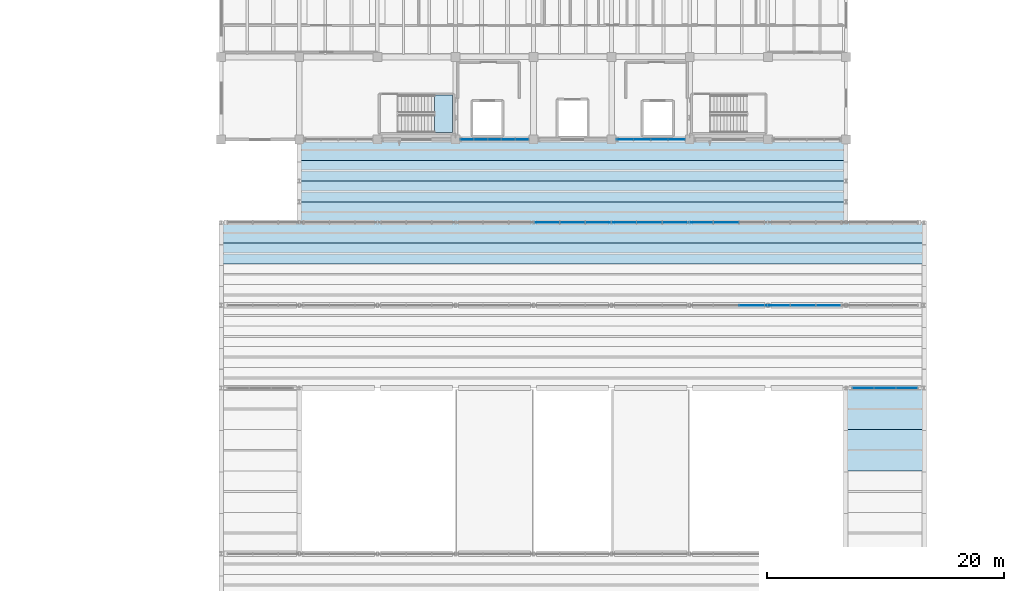
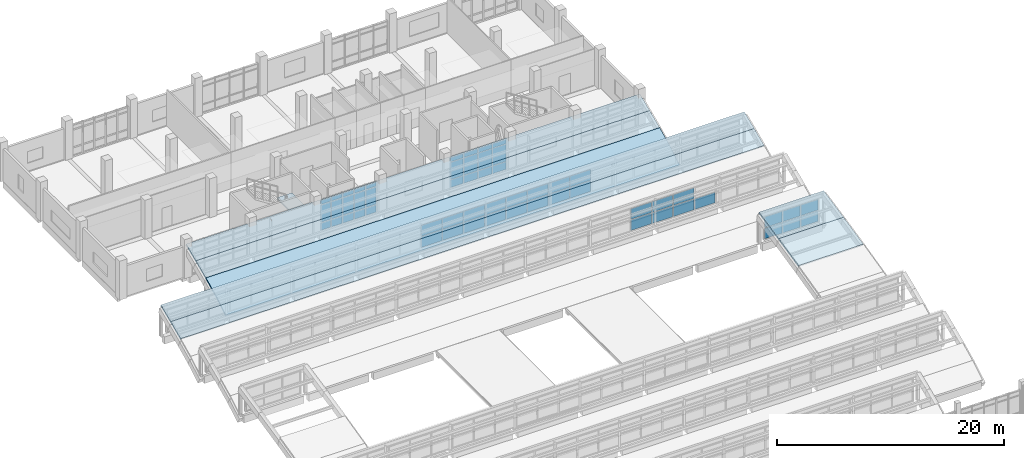
# One storey, part 73 of 92: 56 plates, 9 slabs, 7 elements without a shape of their own.
"""IFC4 building model written with IfcOpenShell, lengths in metres."""

from ifc_helpers import new_model, si_unit, direction, frame, origin, origin_2d, place, context, subcontext, project, spatial, polyline, rectangle, outline, extrude, material, layer, layer_set, type_object, element, aggregate, save


model = new_model("IFC4")

# Units and contexts
model_context = context("Model", 3, precision=1e-05, world=origin(), true_north=direction((0.0, 1.0)))
body_context = subcontext(model_context, "Body", "Model", "MODEL_VIEW")
ifc_project = project(units=[si_unit("LENGTHUNIT", "METRE"), si_unit("AREAUNIT", "SQUARE_METRE"), si_unit("VOLUMEUNIT", "CUBIC_METRE"), si_unit("PLANEANGLEUNIT", "RADIAN"), si_unit("MASSUNIT", "GRAM", prefix="KILO")], contexts=[model_context])

# Site, building, storey
site_placement = place(None, origin())
site = spatial("IfcSite", under=ifc_project, at=site_placement, CompositionType="ELEMENT")
building_placement = place(site_placement, origin())
building = spatial("IfcBuilding", under=site, at=building_placement, Name="Ciguamira Faculty of Natural Sciences", CompositionType="ELEMENT")
storey_placement = place(building_placement, frame((0.0, 0.0, 16.800048828125)))
storey = spatial("IfcBuildingStorey", under=building, at=storey_placement, Name="L04", CompositionType="ELEMENT", Elevation=16.800048828125)

# Curtain wall, plates
ifc_material_1 = material(Name="Anodized aluminium curtain wall", Category="aluminium")
curtain_wall_type_1 = type_object("IfcCurtainWallType", Name="CurtainWall_CW-03", PredefinedType="USERDEFINED", material=ifc_material_1)
curtain_wall_1_placement = place(storey_placement, origin())
curtain_wall_1 = element("IfcCurtainWall", 1, at=curtain_wall_1_placement, inside=storey, type_object=curtain_wall_type_1, Name="L04 unitised curtain wall 0123", ObjectType="UNITISED CURTAIN WALL", PredefinedType="USERDEFINED")
ifc_material_2 = material(Name="Low-E laminated solar glass", Category="glass")
ifc_layer_1 = layer(ifc_material_2, 0.028076171875, Name="Low-E laminated solar glass")
ifc_layer_set_1 = layer_set([ifc_layer_1], Name="Low-E laminated solar glass")
plate_type_1 = type_object("IfcPlateType", Name="CWPanel_CWP-01", PredefinedType="CURTAIN_PANEL", material=ifc_layer_set_1)
plate_1_placement = place(storey_placement, frame((78.080078125, 94.0, 0.080078125), z_axis=(0.0, 0.0, 1.0), x_axis=(1.0, 0.0, 0.0)))
plate_1 = element("IfcPlate", 2, at=plate_1_placement, type_object=plate_type_1, Name="CW-03 panel 1.1", PredefinedType="CURTAIN_PANEL", context=body_context, shape_type="SweptSolid", body=[
    extrude(rectangle(XDim=1.050048828125, YDim=0.028076171875, at=origin_2d()), origin(), (0.0, 0.0, 1.0), 0.780029296875),
])
plate_2_placement = place(storey_placement, frame((78.080078125, 94.0, 0.93994140625), z_axis=(0.0, 0.0, 1.0), x_axis=(1.0, 0.0, 0.0)))
plate_2 = element("IfcPlate", 3, at=plate_2_placement, type_object=plate_type_1, Name="CW-03 panel 1.2", PredefinedType="CURTAIN_PANEL", context=body_context, shape_type="SweptSolid", body=[
    extrude(rectangle(XDim=1.050048828125, YDim=0.028076171875, at=origin_2d()), origin(), (0.0, 0.0, 1.0), 1.85498046875),
])
plate_3_placement = place(storey_placement, frame((78.080078125, 94.0, 2.875), z_axis=(0.0, 0.0, 1.0), x_axis=(1.0, 0.0, 0.0)))
plate_3 = element("IfcPlate", 4, at=plate_3_placement, type_object=plate_type_1, Name="CW-03 panel 1.3", PredefinedType="CURTAIN_PANEL", context=body_context, shape_type="SweptSolid", body=[
    extrude(rectangle(XDim=1.050048828125, YDim=0.028076171875, at=origin_2d()), origin(), (0.0, 0.0, 1.0), 0.429931640625),
])
plate_4_placement = place(storey_placement, frame((79.22998046875, 94.0, 0.080078125), z_axis=(0.0, 0.0, 1.0), x_axis=(1.0, 0.0, 0.0)))
plate_4 = element("IfcPlate", 5, at=plate_4_placement, type_object=plate_type_1, Name="CW-03 panel 2.1", PredefinedType="CURTAIN_PANEL", context=body_context, shape_type="SweptSolid", body=[
    extrude(rectangle(XDim=1.090087890625, YDim=0.028076171875, at=origin_2d()), origin(), (0.0, 0.0, 1.0), 0.780029296875),
])
plate_5_placement = place(storey_placement, frame((79.22998046875, 94.0, 0.93994140625), z_axis=(0.0, 0.0, 1.0), x_axis=(1.0, 0.0, 0.0)))
plate_5 = element("IfcPlate", 6, at=plate_5_placement, type_object=plate_type_1, Name="CW-03 panel 2.2", PredefinedType="CURTAIN_PANEL", context=body_context, shape_type="SweptSolid", body=[
    extrude(rectangle(XDim=1.090087890625, YDim=0.028076171875, at=origin_2d()), origin(), (0.0, 0.0, 1.0), 1.85498046875),
])
plate_6_placement = place(storey_placement, frame((79.22998046875, 94.0, 2.875), z_axis=(0.0, 0.0, 1.0), x_axis=(1.0, 0.0, 0.0)))
plate_6 = element("IfcPlate", 7, at=plate_6_placement, type_object=plate_type_1, Name="CW-03 panel 2.3", PredefinedType="CURTAIN_PANEL", context=body_context, shape_type="SweptSolid", body=[
    extrude(rectangle(XDim=1.090087890625, YDim=0.028076171875, at=origin_2d()), origin(), (0.0, 0.0, 1.0), 0.429931640625),
])
plate_7_placement = place(storey_placement, frame((80.39990234375, 94.0, 0.080078125), z_axis=(0.0, 0.0, 1.0), x_axis=(1.0, 0.0, 0.0)))
plate_7 = element("IfcPlate", 8, at=plate_7_placement, type_object=plate_type_1, Name="CW-03 panel 3.1", PredefinedType="CURTAIN_PANEL", context=body_context, shape_type="SweptSolid", body=[
    extrude(rectangle(XDim=1.090087890625, YDim=0.028076171875, at=origin_2d()), origin(), (0.0, 0.0, 1.0), 0.780029296875),
])
plate_8_placement = place(storey_placement, frame((80.39990234375, 94.0, 0.93994140625), z_axis=(0.0, 0.0, 1.0), x_axis=(1.0, 0.0, 0.0)))
plate_8 = element("IfcPlate", 9, at=plate_8_placement, type_object=plate_type_1, Name="CW-03 panel 3.2", PredefinedType="CURTAIN_PANEL", context=body_context, shape_type="SweptSolid", body=[
    extrude(rectangle(XDim=1.090087890625, YDim=0.028076171875, at=origin_2d()), origin(), (0.0, 0.0, 1.0), 1.85498046875),
])
plate_9_placement = place(storey_placement, frame((80.39990234375, 94.0, 2.875), z_axis=(0.0, 0.0, 1.0), x_axis=(1.0, 0.0, 0.0)))
plate_9 = element("IfcPlate", 10, at=plate_9_placement, type_object=plate_type_1, Name="CW-03 panel 3.3", PredefinedType="CURTAIN_PANEL", context=body_context, shape_type="SweptSolid", body=[
    extrude(rectangle(XDim=1.090087890625, YDim=0.028076171875, at=origin_2d()), origin(), (0.0, 0.0, 1.0), 0.429931640625),
])
plate_10_placement = place(storey_placement, frame((81.570068359375, 94.0, 0.080078125), z_axis=(0.0, 0.0, 1.0), x_axis=(1.0, 0.0, 0.0)))
plate_10 = element("IfcPlate", 11, at=plate_10_placement, type_object=plate_type_1, Name="CW-03 panel 4.1", PredefinedType="CURTAIN_PANEL", context=body_context, shape_type="SweptSolid", body=[
    extrude(rectangle(XDim=1.090087890625, YDim=0.028076171875, at=origin_2d()), origin(), (0.0, 0.0, 1.0), 0.780029296875),
])
plate_11_placement = place(storey_placement, frame((81.570068359375, 94.0, 0.93994140625), z_axis=(0.0, 0.0, 1.0), x_axis=(1.0, 0.0, 0.0)))
plate_11 = element("IfcPlate", 12, at=plate_11_placement, type_object=plate_type_1, Name="CW-03 panel 4.2", PredefinedType="CURTAIN_PANEL", context=body_context, shape_type="SweptSolid", body=[
    extrude(rectangle(XDim=1.090087890625, YDim=0.028076171875, at=origin_2d()), origin(), (0.0, 0.0, 1.0), 1.85498046875),
])
plate_12_placement = place(storey_placement, frame((81.570068359375, 94.0, 2.875), z_axis=(0.0, 0.0, 1.0), x_axis=(1.0, 0.0, 0.0)))
plate_12 = element("IfcPlate", 13, at=plate_12_placement, type_object=plate_type_1, Name="CW-03 panel 4.3", PredefinedType="CURTAIN_PANEL", context=body_context, shape_type="SweptSolid", body=[
    extrude(rectangle(XDim=1.090087890625, YDim=0.028076171875, at=origin_2d()), origin(), (0.0, 0.0, 1.0), 0.429931640625),
])
plate_13_placement = place(storey_placement, frame((82.719970703125, 94.0, 0.080078125), z_axis=(0.0, 0.0, 1.0), x_axis=(1.0, 0.0, 0.0)))
plate_13 = element("IfcPlate", 14, at=plate_13_placement, type_object=plate_type_1, Name="CW-03 panel 5.1", PredefinedType="CURTAIN_PANEL", context=body_context, shape_type="SweptSolid", body=[
    extrude(rectangle(XDim=1.050048828125, YDim=0.028076171875, at=origin_2d()), origin(), (0.0, 0.0, 1.0), 0.780029296875),
])
plate_14_placement = place(storey_placement, frame((82.719970703125, 94.0, 0.93994140625), z_axis=(0.0, 0.0, 1.0), x_axis=(1.0, 0.0, 0.0)))
plate_14 = element("IfcPlate", 15, at=plate_14_placement, type_object=plate_type_1, Name="CW-03 panel 5.2", PredefinedType="CURTAIN_PANEL", context=body_context, shape_type="SweptSolid", body=[
    extrude(rectangle(XDim=1.050048828125, YDim=0.028076171875, at=origin_2d()), origin(), (0.0, 0.0, 1.0), 1.85498046875),
])
plate_15_placement = place(storey_placement, frame((82.719970703125, 94.0, 2.875), z_axis=(0.0, 0.0, 1.0), x_axis=(1.0, 0.0, 0.0)))
plate_15 = element("IfcPlate", 16, at=plate_15_placement, type_object=plate_type_1, Name="CW-03 panel 5.3", PredefinedType="CURTAIN_PANEL", context=body_context, shape_type="SweptSolid", body=[
    extrude(rectangle(XDim=1.050048828125, YDim=0.028076171875, at=origin_2d()), origin(), (0.0, 0.0, 1.0), 0.429931640625),
])
aggregate(curtain_wall_1, [plate_1, plate_2, plate_3, plate_4, plate_5, plate_6, plate_7, plate_8, plate_9, plate_10, plate_11, plate_12, plate_13, plate_14, plate_15])

curtain_wall_type_2 = type_object("IfcCurtainWallType", Name="CurtainWall_CW-04", PredefinedType="USERDEFINED", material=ifc_material_1)
curtain_wall_2_placement = place(storey_placement, origin())
curtain_wall_2 = element("IfcCurtainWall", 17, at=curtain_wall_2_placement, inside=storey, type_object=curtain_wall_type_2, Name="L04 unitised curtain wall 0124", ObjectType="UNITISED CURTAIN WALL", PredefinedType="USERDEFINED")
ifc_layer_2 = layer(ifc_material_2, 0.035888671875, Name="Low-E laminated solar glass")
ifc_layer_set_2 = layer_set([ifc_layer_2], Name="Low-E laminated solar glass")
plate_type_2 = type_object("IfcPlateType", Name="CWPanel_CWP-02", PredefinedType="CURTAIN_PANEL", material=ifc_layer_set_2)
plate_16_placement = place(storey_placement, frame((91.421142578125, 94.0, 0.059814453125), z_axis=(0.0, 0.0, 1.0), x_axis=(1.0, 0.0, 0.0)))
plate_16 = element("IfcPlate", 18, at=plate_16_placement, type_object=plate_type_2, Name="CW-04 panel 1.1", PredefinedType="CURTAIN_PANEL", context=body_context, shape_type="SweptSolid", body=[
    extrude(rectangle(XDim=1.37255859375, YDim=0.035888671875, at=origin_2d()), origin(), (0.0, 0.0, 1.0), 0.81005859375),
])
plate_17_placement = place(storey_placement, frame((91.421142578125, 94.0, 0.929931640625), z_axis=(0.0, 0.0, 1.0), x_axis=(1.0, 0.0, 0.0)))
plate_17 = element("IfcPlate", 19, at=plate_17_placement, type_object=plate_type_2, Name="CW-04 panel 1.2", PredefinedType="CURTAIN_PANEL", context=body_context, shape_type="SweptSolid", body=[
    extrude(rectangle(XDim=1.37255859375, YDim=0.035888671875, at=origin_2d()), origin(), (0.0, 0.0, 1.0), 1.8349609375),
])
plate_18_placement = place(storey_placement, frame((91.421142578125, 94.0, 2.824951171875), z_axis=(0.0, 0.0, 1.0), x_axis=(1.0, 0.0, 0.0)))
plate_18 = element("IfcPlate", 20, at=plate_18_placement, type_object=plate_type_2, Name="CW-04 panel 1.3", PredefinedType="CURTAIN_PANEL", context=body_context, shape_type="SweptSolid", body=[
    extrude(rectangle(XDim=1.37255859375, YDim=0.035888671875, at=origin_2d()), origin(), (0.0, 0.0, 1.0), 0.4599609375),
])
plate_19_placement = place(storey_placement, frame((92.86865234375, 94.0, 0.059814453125), z_axis=(0.0, 0.0, 1.0), x_axis=(1.0, 0.0, 0.0)))
plate_19 = element("IfcPlate", 21, at=plate_19_placement, type_object=plate_type_2, Name="CW-04 panel 2.1", PredefinedType="CURTAIN_PANEL", context=body_context, shape_type="SweptSolid", body=[
    extrude(rectangle(XDim=1.402587890625, YDim=0.035888671875, at=origin_2d()), origin(), (0.0, 0.0, 1.0), 0.81005859375),
])
plate_20_placement = place(storey_placement, frame((92.86865234375, 94.0, 0.929931640625), z_axis=(0.0, 0.0, 1.0), x_axis=(1.0, 0.0, 0.0)))
plate_20 = element("IfcPlate", 22, at=plate_20_placement, type_object=plate_type_2, Name="CW-04 panel 2.2", PredefinedType="CURTAIN_PANEL", context=body_context, shape_type="SweptSolid", body=[
    extrude(rectangle(XDim=1.402587890625, YDim=0.035888671875, at=origin_2d()), origin(), (0.0, 0.0, 1.0), 1.8349609375),
])
plate_21_placement = place(storey_placement, frame((92.86865234375, 94.0, 2.824951171875), z_axis=(0.0, 0.0, 1.0), x_axis=(1.0, 0.0, 0.0)))
plate_21 = element("IfcPlate", 23, at=plate_21_placement, type_object=plate_type_2, Name="CW-04 panel 2.3", PredefinedType="CURTAIN_PANEL", context=body_context, shape_type="SweptSolid", body=[
    extrude(rectangle(XDim=1.402587890625, YDim=0.035888671875, at=origin_2d()), origin(), (0.0, 0.0, 1.0), 0.4599609375),
])
plate_22_placement = place(storey_placement, frame((94.331298828125, 94.0, 0.059814453125), z_axis=(0.0, 0.0, 1.0), x_axis=(1.0, 0.0, 0.0)))
plate_22 = element("IfcPlate", 24, at=plate_22_placement, type_object=plate_type_2, Name="CW-04 panel 3.1", PredefinedType="CURTAIN_PANEL", context=body_context, shape_type="SweptSolid", body=[
    extrude(rectangle(XDim=1.402587890625, YDim=0.035888671875, at=origin_2d()), origin(), (0.0, 0.0, 1.0), 0.81005859375),
])
plate_23_placement = place(storey_placement, frame((94.331298828125, 94.0, 0.929931640625), z_axis=(0.0, 0.0, 1.0), x_axis=(1.0, 0.0, 0.0)))
plate_23 = element("IfcPlate", 25, at=plate_23_placement, type_object=plate_type_2, Name="CW-04 panel 3.2", PredefinedType="CURTAIN_PANEL", context=body_context, shape_type="SweptSolid", body=[
    extrude(rectangle(XDim=1.402587890625, YDim=0.035888671875, at=origin_2d()), origin(), (0.0, 0.0, 1.0), 1.8349609375),
])
plate_24_placement = place(storey_placement, frame((94.331298828125, 94.0, 2.824951171875), z_axis=(0.0, 0.0, 1.0), x_axis=(1.0, 0.0, 0.0)))
plate_24 = element("IfcPlate", 26, at=plate_24_placement, type_object=plate_type_2, Name="CW-04 panel 3.3", PredefinedType="CURTAIN_PANEL", context=body_context, shape_type="SweptSolid", body=[
    extrude(rectangle(XDim=1.402587890625, YDim=0.035888671875, at=origin_2d()), origin(), (0.0, 0.0, 1.0), 0.4599609375),
])
plate_25_placement = place(storey_placement, frame((95.77880859375, 94.0, 0.059814453125), z_axis=(0.0, 0.0, 1.0), x_axis=(1.0, 0.0, 0.0)))
plate_25 = element("IfcPlate", 27, at=plate_25_placement, type_object=plate_type_2, Name="CW-04 panel 4.1", PredefinedType="CURTAIN_PANEL", context=body_context, shape_type="SweptSolid", body=[
    extrude(rectangle(XDim=1.37255859375, YDim=0.035888671875, at=origin_2d()), origin(), (0.0, 0.0, 1.0), 0.81005859375),
])
plate_26_placement = place(storey_placement, frame((95.77880859375, 94.0, 0.929931640625), z_axis=(0.0, 0.0, 1.0), x_axis=(1.0, 0.0, 0.0)))
plate_26 = element("IfcPlate", 28, at=plate_26_placement, type_object=plate_type_2, Name="CW-04 panel 4.2", PredefinedType="CURTAIN_PANEL", context=body_context, shape_type="SweptSolid", body=[
    extrude(rectangle(XDim=1.37255859375, YDim=0.035888671875, at=origin_2d()), origin(), (0.0, 0.0, 1.0), 1.8349609375),
])
plate_27_placement = place(storey_placement, frame((95.77880859375, 94.0, 2.824951171875), z_axis=(0.0, 0.0, 1.0), x_axis=(1.0, 0.0, 0.0)))
plate_27 = element("IfcPlate", 29, at=plate_27_placement, type_object=plate_type_2, Name="CW-04 panel 4.3", PredefinedType="CURTAIN_PANEL", context=body_context, shape_type="SweptSolid", body=[
    extrude(rectangle(XDim=1.37255859375, YDim=0.035888671875, at=origin_2d()), origin(), (0.0, 0.0, 1.0), 0.4599609375),
])
aggregate(curtain_wall_2, [plate_16, plate_17, plate_18, plate_19, plate_20, plate_21, plate_22, plate_23, plate_24, plate_25, plate_26, plate_27])

curtain_wall_type_3 = type_object("IfcCurtainWallType", Name="CurtainWall_CW-06", PredefinedType="USERDEFINED", material=ifc_material_1)
curtain_wall_3_placement = place(storey_placement, origin())
curtain_wall_3 = element("IfcCurtainWall", 30, at=curtain_wall_3_placement, inside=storey, type_object=curtain_wall_type_3, Name="V4 north-light wave 4 clerestory glazing 2", ObjectType="UNITISED CURTAIN WALL", PredefinedType="USERDEFINED")
plate_28_placement = place(storey_placement, frame((111.55078125, 73.0, 0.31982421875), z_axis=(0.0, 0.0, 1.0), x_axis=(1.0, 0.0, 0.0)))
plate_28 = element("IfcPlate", 31, at=plate_28_placement, type_object=plate_type_2, Name="CW-06 panel 1.1", PredefinedType="CURTAIN_PANEL", context=body_context, shape_type="SweptSolid", body=[
    extrude(rectangle(XDim=1.76171875, YDim=0.035888671875, at=origin_2d()), origin(), (0.0, 0.0, 1.0), 1.14501953125),
])
plate_29_placement = place(storey_placement, frame((111.55078125, 73.0, 1.534912109375), z_axis=(0.0, 0.0, 1.0), x_axis=(1.0, 0.0, 0.0)))
plate_29 = element("IfcPlate", 32, at=plate_29_placement, type_object=plate_type_2, Name="CW-06 panel 1.2", PredefinedType="CURTAIN_PANEL", context=body_context, shape_type="SweptSolid", body=[
    extrude(rectangle(XDim=1.76171875, YDim=0.035888671875, at=origin_2d()), origin(), (0.0, 0.0, 1.0), 1.14501953125),
])
plate_30_placement = place(storey_placement, frame((113.39990234375, 73.0, 0.31982421875), z_axis=(0.0, 0.0, 1.0), x_axis=(1.0, 0.0, 0.0)))
plate_30 = element("IfcPlate", 33, at=plate_30_placement, type_object=plate_type_2, Name="CW-06 panel 2.1", PredefinedType="CURTAIN_PANEL", context=body_context, shape_type="SweptSolid", body=[
    extrude(rectangle(XDim=1.796630859375, YDim=0.035888671875, at=origin_2d()), origin(), (0.0, 0.0, 1.0), 1.14501953125),
])
plate_31_placement = place(storey_placement, frame((113.39990234375, 73.0, 1.534912109375), z_axis=(0.0, 0.0, 1.0), x_axis=(1.0, 0.0, 0.0)))
plate_31 = element("IfcPlate", 34, at=plate_31_placement, type_object=plate_type_2, Name="CW-06 panel 2.2", PredefinedType="CURTAIN_PANEL", context=body_context, shape_type="SweptSolid", body=[
    extrude(rectangle(XDim=1.796630859375, YDim=0.035888671875, at=origin_2d()), origin(), (0.0, 0.0, 1.0), 1.14501953125),
])
plate_32_placement = place(storey_placement, frame((115.249267578125, 73.0, 0.31982421875), z_axis=(0.0, 0.0, 1.0), x_axis=(1.0, 0.0, 0.0)))
plate_32 = element("IfcPlate", 35, at=plate_32_placement, type_object=plate_type_2, Name="CW-06 panel 3.1", PredefinedType="CURTAIN_PANEL", context=body_context, shape_type="SweptSolid", body=[
    extrude(rectangle(XDim=1.76171875, YDim=0.035888671875, at=origin_2d()), origin(), (0.0, 0.0, 1.0), 1.14501953125),
])
plate_33_placement = place(storey_placement, frame((115.249267578125, 73.0, 1.534912109375), z_axis=(0.0, 0.0, 1.0), x_axis=(1.0, 0.0, 0.0)))
plate_33 = element("IfcPlate", 36, at=plate_33_placement, type_object=plate_type_2, Name="CW-06 panel 3.2", PredefinedType="CURTAIN_PANEL", context=body_context, shape_type="SweptSolid", body=[
    extrude(rectangle(XDim=1.76171875, YDim=0.035888671875, at=origin_2d()), origin(), (0.0, 0.0, 1.0), 1.14501953125),
])
aggregate(curtain_wall_3, [plate_28, plate_29, plate_30, plate_31, plate_32, plate_33])

curtain_wall_type_4 = type_object("IfcCurtainWallType", Name="CurtainWall_CW-07", PredefinedType="USERDEFINED", material=ifc_material_1)
curtain_wall_4_placement = place(storey_placement, origin())
curtain_wall_4 = element("IfcCurtainWall", 37, at=curtain_wall_4_placement, inside=storey, type_object=curtain_wall_type_4, Name="V4 north-light wave 5 clerestory glazing 1", ObjectType="UNITISED CURTAIN WALL", PredefinedType="USERDEFINED")
plate_34_placement = place(storey_placement, frame((102.140625, 80.0, 0.31982421875), z_axis=(0.0, 0.0, 1.0), x_axis=(1.0, 0.0, 0.0)))
plate_34 = element("IfcPlate", 38, at=plate_34_placement, type_object=plate_type_2, Name="CW-07 panel 21.1", PredefinedType="CURTAIN_PANEL", context=body_context, shape_type="SweptSolid", body=[
    extrude(rectangle(XDim=2.093017578125, YDim=0.035888671875, at=origin_2d()), origin(), (0.0, 0.0, 1.0), 1.14501953125),
])
plate_35_placement = place(storey_placement, frame((102.140625, 80.0, 1.534912109375), z_axis=(0.0, 0.0, 1.0), x_axis=(1.0, 0.0, 0.0)))
plate_35 = element("IfcPlate", 39, at=plate_35_placement, type_object=plate_type_2, Name="CW-07 panel 21.2", PredefinedType="CURTAIN_PANEL", context=body_context, shape_type="SweptSolid", body=[
    extrude(rectangle(XDim=2.093017578125, YDim=0.035888671875, at=origin_2d()), origin(), (0.0, 0.0, 1.0), 1.14501953125),
])
plate_36_placement = place(storey_placement, frame((104.3037109375, 80.0, 0.31982421875), z_axis=(0.0, 0.0, 1.0), x_axis=(1.0, 0.0, 0.0)))
plate_36 = element("IfcPlate", 40, at=plate_36_placement, type_object=plate_type_2, Name="CW-07 panel 22.1", PredefinedType="CURTAIN_PANEL", context=body_context, shape_type="SweptSolid", body=[
    extrude(rectangle(XDim=2.093017578125, YDim=0.035888671875, at=origin_2d()), origin(), (0.0, 0.0, 1.0), 1.14501953125),
])
plate_37_placement = place(storey_placement, frame((104.3037109375, 80.0, 1.534912109375), z_axis=(0.0, 0.0, 1.0), x_axis=(1.0, 0.0, 0.0)))
plate_37 = element("IfcPlate", 41, at=plate_37_placement, type_object=plate_type_2, Name="CW-07 panel 22.2", PredefinedType="CURTAIN_PANEL", context=body_context, shape_type="SweptSolid", body=[
    extrude(rectangle(XDim=2.093017578125, YDim=0.035888671875, at=origin_2d()), origin(), (0.0, 0.0, 1.0), 1.14501953125),
])
plate_38_placement = place(storey_placement, frame((106.466552734375, 80.0, 0.31982421875), z_axis=(0.0, 0.0, 1.0), x_axis=(1.0, 0.0, 0.0)))
plate_38 = element("IfcPlate", 42, at=plate_38_placement, type_object=plate_type_2, Name="CW-07 panel 23.1", PredefinedType="CURTAIN_PANEL", context=body_context, shape_type="SweptSolid", body=[
    extrude(rectangle(XDim=2.093017578125, YDim=0.035888671875, at=origin_2d()), origin(), (0.0, 0.0, 1.0), 1.14501953125),
])
plate_39_placement = place(storey_placement, frame((106.466552734375, 80.0, 1.534912109375), z_axis=(0.0, 0.0, 1.0), x_axis=(1.0, 0.0, 0.0)))
plate_39 = element("IfcPlate", 43, at=plate_39_placement, type_object=plate_type_2, Name="CW-07 panel 23.2", PredefinedType="CURTAIN_PANEL", context=body_context, shape_type="SweptSolid", body=[
    extrude(rectangle(XDim=2.093017578125, YDim=0.035888671875, at=origin_2d()), origin(), (0.0, 0.0, 1.0), 1.14501953125),
])
plate_40_placement = place(storey_placement, frame((108.629638671875, 80.0, 0.31982421875), z_axis=(0.0, 0.0, 1.0), x_axis=(1.0, 0.0, 0.0)))
plate_40 = element("IfcPlate", 44, at=plate_40_placement, type_object=plate_type_2, Name="CW-07 panel 24.1", PredefinedType="CURTAIN_PANEL", context=body_context, shape_type="SweptSolid", body=[
    extrude(rectangle(XDim=2.093017578125, YDim=0.035888671875, at=origin_2d()), origin(), (0.0, 0.0, 1.0), 1.14501953125),
])
aggregate(curtain_wall_4, [plate_34, plate_35, plate_36, plate_37, plate_38, plate_39, plate_40])

curtain_wall_type_5 = type_object("IfcCurtainWallType", Name="CurtainWall_CW-08", PredefinedType="USERDEFINED", material=ifc_material_1)
curtain_wall_5_placement = place(storey_placement, origin())
curtain_wall_5 = element("IfcCurtainWall", 45, at=curtain_wall_5_placement, inside=storey, type_object=curtain_wall_type_5, Name="V4 north-light wave 6 clerestory glazing 1", ObjectType="UNITISED CURTAIN WALL", PredefinedType="USERDEFINED")
plate_41_placement = place(storey_placement, frame((84.837158203125, 87.0, 0.31982421875), z_axis=(0.0, 0.0, 1.0), x_axis=(1.0, 0.0, 0.0)))
plate_41 = element("IfcPlate", 46, at=plate_41_placement, type_object=plate_type_2, Name="CW-08 panel 13.1", PredefinedType="CURTAIN_PANEL", context=body_context, shape_type="SweptSolid", body=[
    extrude(rectangle(XDim=2.093017578125, YDim=0.035888671875, at=origin_2d()), origin(), (0.0, 0.0, 1.0), 1.14501953125),
])
plate_42_placement = place(storey_placement, frame((84.837158203125, 87.0, 1.534912109375), z_axis=(0.0, 0.0, 1.0), x_axis=(1.0, 0.0, 0.0)))
plate_42 = element("IfcPlate", 47, at=plate_42_placement, type_object=plate_type_2, Name="CW-08 panel 13.2", PredefinedType="CURTAIN_PANEL", context=body_context, shape_type="SweptSolid", body=[
    extrude(rectangle(XDim=2.093017578125, YDim=0.035888671875, at=origin_2d()), origin(), (0.0, 0.0, 1.0), 1.14501953125),
])
plate_43_placement = place(storey_placement, frame((87.0, 87.0, 0.31982421875), z_axis=(0.0, 0.0, 1.0), x_axis=(1.0, 0.0, 0.0)))
plate_43 = element("IfcPlate", 48, at=plate_43_placement, type_object=plate_type_2, Name="CW-08 panel 14.1", PredefinedType="CURTAIN_PANEL", context=body_context, shape_type="SweptSolid", body=[
    extrude(rectangle(XDim=2.093017578125, YDim=0.035888671875, at=origin_2d()), origin(), (0.0, 0.0, 1.0), 1.14501953125),
])
plate_44_placement = place(storey_placement, frame((87.0, 87.0, 1.534912109375), z_axis=(0.0, 0.0, 1.0), x_axis=(1.0, 0.0, 0.0)))
plate_44 = element("IfcPlate", 49, at=plate_44_placement, type_object=plate_type_2, Name="CW-08 panel 14.2", PredefinedType="CURTAIN_PANEL", context=body_context, shape_type="SweptSolid", body=[
    extrude(rectangle(XDim=2.093017578125, YDim=0.035888671875, at=origin_2d()), origin(), (0.0, 0.0, 1.0), 1.14501953125),
])
plate_45_placement = place(storey_placement, frame((89.162841796875, 87.0, 0.31982421875), z_axis=(0.0, 0.0, 1.0), x_axis=(1.0, 0.0, 0.0)))
plate_45 = element("IfcPlate", 50, at=plate_45_placement, type_object=plate_type_2, Name="CW-08 panel 15.1", PredefinedType="CURTAIN_PANEL", context=body_context, shape_type="SweptSolid", body=[
    extrude(rectangle(XDim=2.093017578125, YDim=0.035888671875, at=origin_2d()), origin(), (0.0, 0.0, 1.0), 1.14501953125),
])
plate_46_placement = place(storey_placement, frame((89.162841796875, 87.0, 1.534912109375), z_axis=(0.0, 0.0, 1.0), x_axis=(1.0, 0.0, 0.0)))
plate_46 = element("IfcPlate", 51, at=plate_46_placement, type_object=plate_type_2, Name="CW-08 panel 15.2", PredefinedType="CURTAIN_PANEL", context=body_context, shape_type="SweptSolid", body=[
    extrude(rectangle(XDim=2.093017578125, YDim=0.035888671875, at=origin_2d()), origin(), (0.0, 0.0, 1.0), 1.14501953125),
])
plate_47_placement = place(storey_placement, frame((91.325927734375, 87.0, 0.31982421875), z_axis=(0.0, 0.0, 1.0), x_axis=(1.0, 0.0, 0.0)))
plate_47 = element("IfcPlate", 52, at=plate_47_placement, type_object=plate_type_2, Name="CW-08 panel 16.1", PredefinedType="CURTAIN_PANEL", context=body_context, shape_type="SweptSolid", body=[
    extrude(rectangle(XDim=2.093017578125, YDim=0.035888671875, at=origin_2d()), origin(), (0.0, 0.0, 1.0), 1.14501953125),
])
plate_48_placement = place(storey_placement, frame((91.325927734375, 87.0, 1.534912109375), z_axis=(0.0, 0.0, 1.0), x_axis=(1.0, 0.0, 0.0)))
plate_48 = element("IfcPlate", 53, at=plate_48_placement, type_object=plate_type_2, Name="CW-08 panel 16.2", PredefinedType="CURTAIN_PANEL", context=body_context, shape_type="SweptSolid", body=[
    extrude(rectangle(XDim=2.093017578125, YDim=0.035888671875, at=origin_2d()), origin(), (0.0, 0.0, 1.0), 1.14501953125),
])
plate_49_placement = place(storey_placement, frame((93.48876953125, 87.0, 0.31982421875), z_axis=(0.0, 0.0, 1.0), x_axis=(1.0, 0.0, 0.0)))
plate_49 = element("IfcPlate", 54, at=plate_49_placement, type_object=plate_type_2, Name="CW-08 panel 17.1", PredefinedType="CURTAIN_PANEL", context=body_context, shape_type="SweptSolid", body=[
    extrude(rectangle(XDim=2.093017578125, YDim=0.035888671875, at=origin_2d()), origin(), (0.0, 0.0, 1.0), 1.14501953125),
])
plate_50_placement = place(storey_placement, frame((93.48876953125, 87.0, 1.534912109375), z_axis=(0.0, 0.0, 1.0), x_axis=(1.0, 0.0, 0.0)))
plate_50 = element("IfcPlate", 55, at=plate_50_placement, type_object=plate_type_2, Name="CW-08 panel 17.2", PredefinedType="CURTAIN_PANEL", context=body_context, shape_type="SweptSolid", body=[
    extrude(rectangle(XDim=2.093017578125, YDim=0.035888671875, at=origin_2d()), origin(), (0.0, 0.0, 1.0), 1.14501953125),
])
plate_51_placement = place(storey_placement, frame((95.65185546875, 87.0, 0.31982421875), z_axis=(0.0, 0.0, 1.0), x_axis=(1.0, 0.0, 0.0)))
plate_51 = element("IfcPlate", 56, at=plate_51_placement, type_object=plate_type_2, Name="CW-08 panel 18.1", PredefinedType="CURTAIN_PANEL", context=body_context, shape_type="SweptSolid", body=[
    extrude(rectangle(XDim=2.093017578125, YDim=0.035888671875, at=origin_2d()), origin(), (0.0, 0.0, 1.0), 1.14501953125),
])
plate_52_placement = place(storey_placement, frame((95.65185546875, 87.0, 1.534912109375), z_axis=(0.0, 0.0, 1.0), x_axis=(1.0, 0.0, 0.0)))
plate_52 = element("IfcPlate", 57, at=plate_52_placement, type_object=plate_type_2, Name="CW-08 panel 18.2", PredefinedType="CURTAIN_PANEL", context=body_context, shape_type="SweptSolid", body=[
    extrude(rectangle(XDim=2.093017578125, YDim=0.035888671875, at=origin_2d()), origin(), (0.0, 0.0, 1.0), 1.14501953125),
])
plate_53_placement = place(storey_placement, frame((97.814697265625, 87.0, 0.31982421875), z_axis=(0.0, 0.0, 1.0), x_axis=(1.0, 0.0, 0.0)))
plate_53 = element("IfcPlate", 58, at=plate_53_placement, type_object=plate_type_2, Name="CW-08 panel 19.1", PredefinedType="CURTAIN_PANEL", context=body_context, shape_type="SweptSolid", body=[
    extrude(rectangle(XDim=2.093017578125, YDim=0.035888671875, at=origin_2d()), origin(), (0.0, 0.0, 1.0), 1.14501953125),
])
plate_54_placement = place(storey_placement, frame((97.814697265625, 87.0, 1.534912109375), z_axis=(0.0, 0.0, 1.0), x_axis=(1.0, 0.0, 0.0)))
plate_54 = element("IfcPlate", 59, at=plate_54_placement, type_object=plate_type_2, Name="CW-08 panel 19.2", PredefinedType="CURTAIN_PANEL", context=body_context, shape_type="SweptSolid", body=[
    extrude(rectangle(XDim=2.093017578125, YDim=0.035888671875, at=origin_2d()), origin(), (0.0, 0.0, 1.0), 1.14501953125),
])
plate_55_placement = place(storey_placement, frame((99.977783203125, 87.0, 0.31982421875), z_axis=(0.0, 0.0, 1.0), x_axis=(1.0, 0.0, 0.0)))
plate_55 = element("IfcPlate", 60, at=plate_55_placement, type_object=plate_type_2, Name="CW-08 panel 20.1", PredefinedType="CURTAIN_PANEL", context=body_context, shape_type="SweptSolid", body=[
    extrude(rectangle(XDim=2.093017578125, YDim=0.035888671875, at=origin_2d()), origin(), (0.0, 0.0, 1.0), 1.14501953125),
])
plate_56_placement = place(storey_placement, frame((99.977783203125, 87.0, 1.534912109375), z_axis=(0.0, 0.0, 1.0), x_axis=(1.0, 0.0, 0.0)))
plate_56 = element("IfcPlate", 61, at=plate_56_placement, type_object=plate_type_2, Name="CW-08 panel 20.2", PredefinedType="CURTAIN_PANEL", context=body_context, shape_type="SweptSolid", body=[
    extrude(rectangle(XDim=2.093017578125, YDim=0.035888671875, at=origin_2d()), origin(), (0.0, 0.0, 1.0), 1.14501953125),
])
aggregate(curtain_wall_5, [plate_41, plate_42, plate_43, plate_44, plate_45, plate_46, plate_47, plate_48, plate_49, plate_50, plate_51, plate_52, plate_53, plate_54, plate_55, plate_56])

# Roof, slabs
ifc_material_3 = material(Name="Concrete C40/50", Category="concrete")
roof_type = type_object("IfcRoofType", Name="RoofSys_RF-WAV", PredefinedType="FREEFORM", material=ifc_material_3)
roof_placement = place(storey_placement, origin())
roof = element("IfcRoof", 62, at=roof_placement, inside=storey, type_object=roof_type, Name="Laboratory Seven Curled Concrete North-Light Wave Shells", PredefinedType="FREEFORM")
ifc_layer_3 = layer(ifc_material_3, 0.179931640625, Name="Concrete C40/50")
ifc_layer_set_3 = layer_set([ifc_layer_3], Name="Concrete C40/50")
slab_type_1 = type_object("IfcSlabType", Name="Slab_SR-01_180", PredefinedType="ROOF", material=ifc_layer_set_3)
slab_1_placement = place(storey_placement, frame((110.10009765625, 66.0, 1.88623046875), z_axis=(0.0, -0.216490588517, 0.976284704932), x_axis=(1.0, 0.0, 0.0)))
slab_1 = element("IfcSlab", 63, at=slab_1_placement, type_object=slab_type_1, Name="V4 north-light breaking-wave 4 shell strip 3", PredefinedType="ROOF", context=body_context, shape_type="SweptSolid", body=[
    extrude(outline(polyline([(0.0, 0.0), (6.599853515625, 0.0), (6.599853515625, 3.5850198024405016), (0.0, 3.5850198024405016), (0.0, 0.0)])), origin(), (0.0, 0.0, -1.0), 0.179931640625),
])
slab_2_placement = place(storey_placement, frame((110.10009765625, 69.5, 2.662353515625), z_axis=(0.0, -0.206199673303, 0.978509935938), x_axis=(1.0, 0.0, 0.0)))
slab_2 = element("IfcSlab", 64, at=slab_2_placement, type_object=slab_type_1, Name="V4 north-light breaking-wave 4 shell strip 4", PredefinedType="ROOF", context=body_context, shape_type="SweptSolid", body=[
    extrude(outline(polyline([(0.0, 0.0), (6.599853515625, 0.0), (6.599853515625, 3.576867103188006), (0.0, 3.576867103188006), (0.0, 0.0)])), origin(), (0.0, 0.0, -1.0), 0.179931640625),
])
slab_3_placement = place(storey_placement, frame((57.300048828125, 83.5, 1.88623046875), z_axis=(0.0, -0.405416548208, 0.914132059628), x_axis=(1.0, 0.0, 0.0)))
slab_3 = element("IfcSlab", 65, at=slab_3_placement, type_object=slab_type_1, Name="V4 north-light breaking-wave 6 shell strip 3", PredefinedType="ROOF", context=body_context, shape_type="SweptSolid", body=[
    extrude(outline(polyline([(0.0, 0.0), (59.39990234375, 0.0), (59.39990234375, 1.9143842309971457), (0.0, 1.9143842309971457), (0.0, 0.0)])), origin(), (0.0, 0.0, -1.0), 0.179931640625),
])
slab_4_placement = place(storey_placement, frame((57.300048828125, 85.25, 2.662353515625), z_axis=(0.0, -0.388373078148, 0.921502225808), x_axis=(1.0, 0.0, 0.0)))
slab_4 = element("IfcSlab", 66, at=slab_4_placement, type_object=slab_type_1, Name="V4 north-light breaking-wave 6 shell strip 4", PredefinedType="ROOF", context=body_context, shape_type="SweptSolid", body=[
    extrude(outline(polyline([(0.0, 0.0), (59.39990234375, 0.0), (59.39990234375, 1.899073003828068), (0.0, 1.899073003828068), (0.0, 0.0)])), origin(), (0.0, 0.0, -1.0), 0.179931640625),
])
slab_5_placement = place(storey_placement, frame((63.89990234375, 87.0, 0.0), z_axis=(0.0, -0.513192142749, 0.858273746902), x_axis=(1.0, 0.0, 0.0)))
slab_5 = element("IfcSlab", 67, at=slab_5_placement, type_object=slab_type_1, Name="V4 north-light breaking-wave 7 shell strip 1", PredefinedType="ROOF", context=body_context, shape_type="SweptSolid", body=[
    extrude(outline(polyline([(0.0, 0.0), (46.2001953125, 0.0), (46.2001953125, 2.0389764994173896), (0.0, 2.0389764994173896), (0.0, 0.0)])), origin(), (0.0, 0.0, -1.0), 0.179931640625),
])
slab_6_placement = place(storey_placement, frame((63.89990234375, 88.75, 1.04638671875), z_axis=(0.0, -0.432665643872, 0.901554457929), x_axis=(1.0, 0.0, 0.0)))
slab_6 = element("IfcSlab", 68, at=slab_6_placement, type_object=slab_type_1, Name="V4 north-light breaking-wave 7 shell strip 2", PredefinedType="ROOF", context=body_context, shape_type="SweptSolid", body=[
    extrude(outline(polyline([(0.0, 0.0), (46.2001953125, 0.0), (46.2001953125, 1.941091838222515), (0.0, 1.941091838222515), (0.0, 0.0)])), origin(), (0.0, 0.0, -1.0), 0.179931640625),
])
slab_7_placement = place(storey_placement, frame((63.89990234375, 90.5, 1.88623046875), z_axis=(0.0, -0.405416548208, 0.914132059628), x_axis=(1.0, 0.0, 0.0)))
slab_7 = element("IfcSlab", 69, at=slab_7_placement, type_object=slab_type_1, Name="V4 north-light breaking-wave 7 shell strip 3", PredefinedType="ROOF", context=body_context, shape_type="SweptSolid", body=[
    extrude(outline(polyline([(0.0, 0.0), (46.2001953125, 0.0), (46.2001953125, 1.9143842309971457), (0.0, 1.9143842309971457), (0.0, 0.0)])), origin(), (0.0, 0.0, -1.0), 0.179931640625),
])
slab_8_placement = place(storey_placement, frame((63.89990234375, 92.25, 2.662353515625), z_axis=(0.0, -0.388373078148, 0.921502225808), x_axis=(1.0, 0.0, 0.0)))
slab_8 = element("IfcSlab", 70, at=slab_8_placement, type_object=slab_type_1, Name="V4 north-light breaking-wave 7 shell strip 4", PredefinedType="ROOF", context=body_context, shape_type="SweptSolid", body=[
    extrude(outline(polyline([(0.0, 0.0), (46.2001953125, 0.0), (46.2001953125, 1.899073003828068), (0.0, 1.899073003828068), (0.0, 0.0)])), origin(), (0.0, 0.0, -1.0), 0.179931640625),
])
aggregate(roof, [slab_1, slab_2, slab_3, slab_4, slab_5, slab_6, slab_7, slab_8])

# Stair, slab
stair_type = type_object("IfcStairType", Name="Stair_STR-01", PredefinedType="HALF_TURN_STAIR", material=ifc_material_3)
stair_placement = place(storey_placement, origin())
stair = element("IfcStair", 71, at=stair_placement, inside=storey, type_object=stair_type, Name="L04 Tower West Exit Stair", PredefinedType="HALF_TURN_STAIR")
ifc_layer_4 = layer(ifc_material_3, 0.199951171875, Name="Concrete C40/50")
ifc_layer_set_4 = layer_set([ifc_layer_4], Name="Concrete C40/50")
slab_type_2 = type_object("IfcSlabType", Name="StairLanding_SLD01", PredefinedType="LANDING", material=ifc_layer_set_4)
slab_9_placement = place(storey_placement, frame((0.0, 0.0, 1.89990234375)))
slab_9 = element("IfcSlab", 72, at=slab_9_placement, type_object=slab_type_2, Name="ST-T1 landing 1", PredefinedType="LANDING", context=body_context, shape_type="SweptSolid", body=[
    extrude(outline(polyline([(75.340087890625, 94.60009765625), (76.85009765625, 94.60009765625), (76.85009765625, 97.760009765625), (75.340087890625, 97.760009765625), (75.340087890625, 94.60009765625)])), origin(), (0.0, 0.0, 1.0), 0.199951171875),
])
aggregate(stair, [slab_9])

save(model, "model.ifc")
